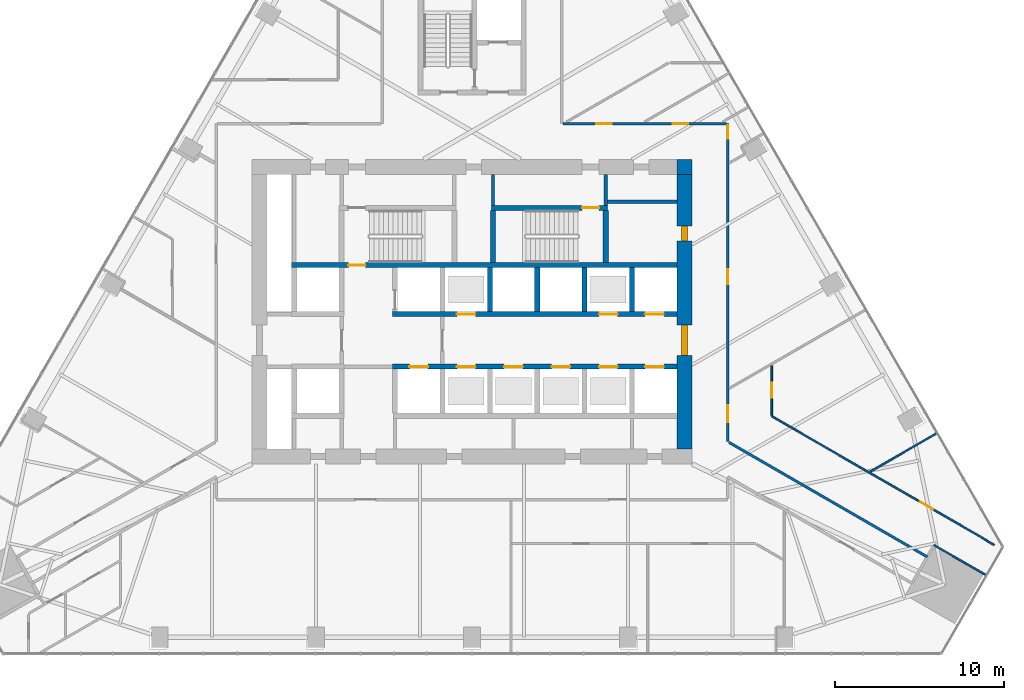
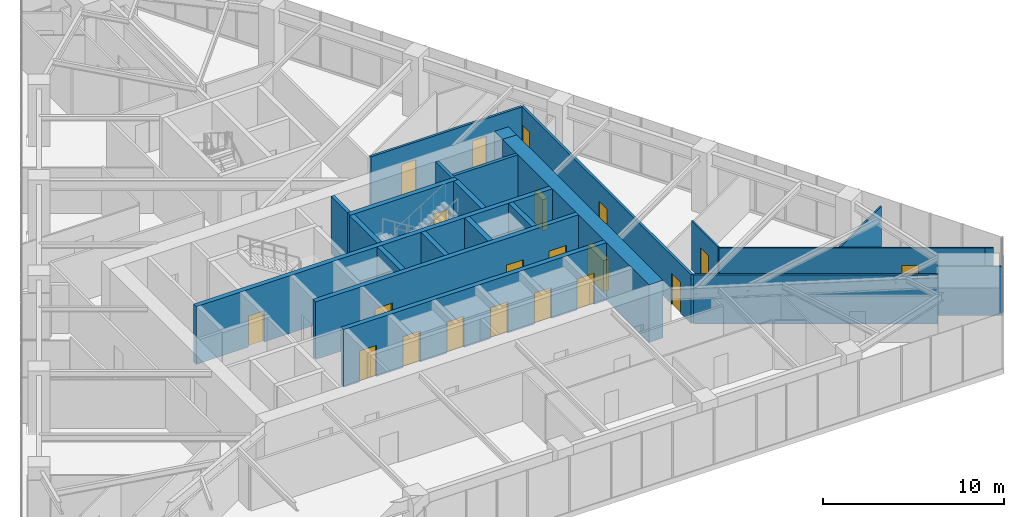
# One storey, part 15 of 19: 23 walls, 20 doors, 20 openings.
"""IFC4 building model written with IfcOpenShell, lengths in metres."""

import ifcopenshell
import ifcopenshell.guid

model = None  # the IFC model being written
_history = None  # IfcOwnerHistory: only IFC2X3 demands one
_inside = {}  # id of a spatial element -> (the spatial element, [elements in it])
_under = {}  # id of a project, library or spatial element -> (it, [spatial elements below it])
_declared = {}  # id of a project -> (the project, [libraries it declares])
_typed = {}  # id of a type object -> (the type object, [elements of that type])
_made_of = {}  # id of a material, layer set ... -> (it, [elements and type objects made of it])


def new_model(schema):
    """Start an empty IFC model of exactly this schema.

    Asked for "IFC4X3", IfcOpenShell would pick the latest addendum, in which some entities
    have other attributes; the version numbers below select the first issue.
    IFC2X3 requires an IfcOwnerHistory on every rooted entity: one is made here for all.
    """
    global model, _history
    if schema == "IFC4X3":
        model = ifcopenshell.file(schema_version=(4, 3, 0, 0))
    else:
        model = ifcopenshell.file(schema=schema)
    _inside.clear()
    _under.clear()
    _declared.clear()
    _typed.clear()
    _made_of.clear()
    _history = None
    if model.schema == "IFC2X3":
        org = make("IfcOrganization", Name="unknown")
        user = make(
            "IfcPersonAndOrganization",
            ThePerson=make("IfcPerson", FamilyName="unknown"),
            TheOrganization=org,
        )
        app = make(
            "IfcApplication",
            ApplicationDeveloper=org,
            Version="unknown",
            ApplicationFullName="unknown",
            ApplicationIdentifier="unknown",
        )
        _history = make(
            "IfcOwnerHistory",
            OwningUser=user,
            OwningApplication=app,
            ChangeAction="ADDED",
            CreationDate=0,
        )
    return model


def make(cls, **values):
    """One entity of the class cls with the attributes given. An attribute that is None is left unset."""
    return model.create_entity(
        cls, **{name: value for name, value in values.items() if value is not None}
    )


def rooted(cls, **values):
    """An entity with a GlobalId (a new one), such as an element, a storey or a relation."""
    return make(cls, GlobalId=ifcopenshell.guid.new(), OwnerHistory=_history, **values)


def si_unit(unit_type, name, prefix=None):
    """IfcSIUnit, for example si_unit("LENGTHUNIT", "METRE", prefix="MILLI")."""
    return make("IfcSIUnit", UnitType=unit_type, Prefix=prefix, Name=name)


def assignment(units):
    """IfcUnitAssignment: the units of a project."""
    return None if units is None else make("IfcUnitAssignment", Units=units)


def point(xyz):
    """IfcCartesianPoint."""
    return None if xyz is None else make("IfcCartesianPoint", Coordinates=xyz)


def direction(xyz):
    """IfcDirection."""
    return None if xyz is None else make("IfcDirection", DirectionRatios=xyz)


def frame(location, z_axis=None, x_axis=None):
    """IfcAxis2Placement3D, a coordinate frame: its origin and axes. An axis left out is left unset."""
    return make(
        "IfcAxis2Placement3D",
        Location=point(location),
        Axis=direction(z_axis),
        RefDirection=direction(x_axis),
    )


def frame_2d(location, x_axis=None):
    """IfcAxis2Placement2D, a coordinate frame in the plane: its origin and x axis."""
    return make(
        "IfcAxis2Placement2D", Location=point(location), RefDirection=direction(x_axis)
    )


def origin():
    """The frame at (0, 0, 0) with its axes left unset."""
    return frame((0.0, 0.0, 0.0))


def place(relative_to, where):
    """IfcLocalPlacement: puts the frame where relative to a parent placement (None: the world)."""
    return make(
        "IfcLocalPlacement", PlacementRelTo=relative_to, RelativePlacement=where
    )


def context(
    kind, dimensions, precision=None, world=None, true_north=None, identifier=None
):
    """IfcGeometricRepresentationContext, for example the 3D "Model" context."""
    return make(
        "IfcGeometricRepresentationContext",
        ContextIdentifier=identifier,
        ContextType=kind,
        CoordinateSpaceDimension=dimensions,
        Precision=precision,
        WorldCoordinateSystem=world,
        TrueNorth=true_north,
    )


def subcontext(parent, identifier, kind, view, scale=None):
    """IfcGeometricRepresentationSubContext, for example "Body" below "Model"."""
    return make(
        "IfcGeometricRepresentationSubContext",
        ContextIdentifier=identifier,
        ContextType=kind,
        ParentContext=parent,
        TargetScale=scale,
        TargetView=view,
    )


def project(units=None, contexts=None):
    """IfcProject with its units and contexts."""
    return rooted(
        "IfcProject",
        Name="project",
        RepresentationContexts=contexts,
        UnitsInContext=assignment(units),
    )


def spatial(cls, under=None, at=None, **own):
    """A site, building, storey or space (cls), placed at a placement, below another one or the project."""
    s = rooted(cls, ObjectPlacement=at, **own)
    if under is not None:
        _under.setdefault(under.id(), (under, []))[1].append(s)
    return s


def profile(cls, at=None, kind="AREA", **sizes):
    """A parametric profile (cls). Its sizes go by their IFC names, for example OverallWidth=200.0."""
    return make(cls, ProfileType=kind, Position=at, **sizes)


def rectangle(**sizes):
    """IfcRectangleProfileDef."""
    return profile("IfcRectangleProfileDef", **sizes)


def extrude(swept, where, along, depth):
    """IfcExtrudedAreaSolid: the profile swept, set in the frame where, extruded along a direction by depth."""
    return make(
        "IfcExtrudedAreaSolid",
        SweptArea=swept,
        Position=where,
        ExtrudedDirection=direction(along),
        Depth=depth,
    )


def shape(context_of_items, identifier, shape_type, items):
    """IfcShapeRepresentation: the items that make up one representation, for example the "Body"."""
    return make(
        "IfcShapeRepresentation",
        ContextOfItems=context_of_items,
        RepresentationIdentifier=identifier,
        RepresentationType=shape_type,
        Items=items,
    )


def material(Name=None, Category=None):
    """IfcMaterial."""
    return make("IfcMaterial", Name=Name, Category=Category)


def layer(
    of_material, thickness, ventilated=None, Name=None, Category=None, Priority=None
):
    """IfcMaterialLayer: one layer of a wall or slab, of a material (None: an air gap)."""
    return make(
        "IfcMaterialLayer",
        Material=of_material,
        LayerThickness=thickness,
        IsVentilated=ventilated,
        Name=Name,
        Category=Category,
        Priority=Priority,
    )


def layer_set(layers, Name=None):
    """IfcMaterialLayerSet."""
    return make("IfcMaterialLayerSet", MaterialLayers=layers, LayerSetName=Name)


def made_of(thing, what):
    """Note that an element or type object is made of a material, layer set ...; save() writes the relation."""
    if what is not None:
        _made_of.setdefault(what.id(), (what, []))[1].append(thing)
    return thing


def type_object(cls, material=None, **own):
    """A type object (cls), such as IfcWallType, which elements share."""
    return made_of(rooted(cls, **own), material)


def element(
    cls,
    number,
    at=None,
    inside=None,
    cuts=None,
    type_object=None,
    material=None,
    context=None,
    identifier="Body",
    shape_type=None,
    held_by="IfcProductDefinitionShape",
    body=None,
    shapes=None,
    **own,
):
    """One element of the class cls, such as IfcWall. Its Tag is "e" and its number.

    at: its placement. inside: the storey or other place that contains it. cuts: it is an
    opening in that element (IfcRelVoidsElement). A single representation is given by context,
    identifier, shape_type and body (its items); several are given by shapes. held_by: the class
    of the entity that holds the representations. save() writes the other relations.
    """
    e = rooted(cls, Tag="e%d" % number, ObjectPlacement=at, **own)
    if body is not None:
        shapes = [shape(context, identifier, shape_type, body)]
    if shapes is not None:
        e.Representation = make(held_by, Representations=shapes)
    if inside is not None:
        _inside.setdefault(inside.id(), (inside, []))[1].append(e)
    if cuts is not None:
        rooted(
            "IfcRelVoidsElement", RelatingBuildingElement=cuts, RelatedOpeningElement=e
        )
    if type_object is not None:
        _typed.setdefault(type_object.id(), (type_object, []))[1].append(e)
    return made_of(e, material)


def fill(opening, filler):
    """IfcRelFillsElement: the door or window that sits in an opening."""
    return rooted(
        "IfcRelFillsElement",
        RelatingOpeningElement=opening,
        RelatedBuildingElement=filler,
    )


def aggregate(whole, parts):
    """IfcRelAggregates: a whole, such as a stair, and the parts it consists of."""
    return rooted("IfcRelAggregates", RelatingObject=whole, RelatedObjects=parts)


def save(model, path):
    """Write the relations noted so far, then the file.

    IfcRelAggregates (storeys below a building ...), IfcRelContainedInSpatialStructure (elements
    in a storey), IfcRelDefinesByType, IfcRelAssociatesMaterial and IfcRelDeclares: one each for
    every whole, place, type object, material and project.
    """
    for whole, parts in _under.values():
        aggregate(whole, parts)
    for where, things in _inside.values():
        rooted(
            "IfcRelContainedInSpatialStructure",
            RelatedElements=things,
            RelatingStructure=where,
        )
    for kind, things in _typed.values():
        rooted("IfcRelDefinesByType", RelatedObjects=things, RelatingType=kind)
    for what, things in _made_of.values():
        rooted("IfcRelAssociatesMaterial", RelatedObjects=things, RelatingMaterial=what)
    for by, libraries in _declared.values():
        rooted("IfcRelDeclares", RelatingContext=by, RelatedDefinitions=libraries)
    model.write(path)


model = new_model("IFC4")

# Units and contexts
model_context = context("Model", 3, precision=1e-05, world=origin(), true_north=direction((0.0, 1.0)))
body_context = subcontext(model_context, "Body", "Model", "MODEL_VIEW")
ifc_project = project(units=[si_unit("LENGTHUNIT", "METRE"), si_unit("AREAUNIT", "SQUARE_METRE"), si_unit("VOLUMEUNIT", "CUBIC_METRE"), si_unit("PLANEANGLEUNIT", "RADIAN"), si_unit("MASSUNIT", "GRAM", prefix="KILO")], contexts=[model_context])

# Site, building, storey
site_placement = place(None, origin())
site = spatial("IfcSite", under=ifc_project, at=site_placement, CompositionType="ELEMENT")
building_placement = place(site_placement, origin())
building = spatial("IfcBuilding", under=site, at=building_placement, Name="Firuza Gate Tower and Library", CompositionType="ELEMENT")
storey_placement = place(building_placement, frame((0.0, 0.0, 136.60009765625)))
storey = spatial("IfcBuildingStorey", under=building, at=storey_placement, Name="L31", CompositionType="ELEMENT", Elevation=136.60009765625)

# Walls
ifc_material_1 = material(Name="Plasterboard on steel studs", Category="steel")
ifc_layer_1 = layer(ifc_material_1, 0.199951171875)
ifc_layer_set_1 = layer_set([ifc_layer_1], Name="Core partition 200 EI 120")
wall_type_1 = type_object("IfcWallType", Name="Core partition 200 EI 120", PredefinedType="PARTITIONING", material=ifc_layer_set_1)
wall_1_placement = place(storey_placement, frame((83.0, 81.4951171875, 0.0), z_axis=(0.0, 0.0, 1.0), x_axis=(1.0, 0.0, 0.0)))
element("IfcWall", 1, at=wall_1_placement, inside=storey, type_object=wall_type_1, Name="Core partition L31 4", PredefinedType="PARTITIONING", context=body_context, shape_type="SweptSolid", body=[
    extrude(rectangle(XDim=4.10009765625, YDim=0.199951171875, at=frame_2d((2.050048828125, 0.0))), origin(), (0.0, 0.0, 1.0), 3.89990234375),
])
wall_2_placement = place(storey_placement, frame((82.89990234375, 81.280029296875, 0.0), z_axis=(0.0, 0.0, 1.0), x_axis=(0.0, 1.0, 0.0)))
element("IfcWall", 2, at=wall_2_placement, inside=storey, type_object=wall_type_1, Name="Core partition L31 15", PredefinedType="PARTITIONING", context=body_context, shape_type="SweptSolid", body=[
    extrude(rectangle(XDim=1.820068359375, YDim=0.199951171875, at=frame_2d((0.91015625, 0.0))), origin(), (0.0, 0.0, 1.0), 3.89990234375),
])
ifc_material_2 = material(Name="Plasterboard on steel studs", Category="steel")
ifc_layer_2 = layer(ifc_material_2, 0.199951171875)
ifc_layer_set_2 = layer_set([ifc_layer_2], Name="Core partition 200 EI 60")
wall_type_2 = type_object("IfcWallType", Name="Core partition 200 EI 60", PredefinedType="PARTITIONING", material=ifc_layer_set_2)
wall_3_placement = place(storey_placement, frame((76.239990234375, 81.280029296875, 0.0), z_axis=(0.0, 0.0, 1.0), x_axis=(0.0, 1.0, 0.0)))
element("IfcWall", 3, at=wall_3_placement, inside=storey, type_object=wall_type_2, Name="Core partition L31 13", PredefinedType="PARTITIONING", context=body_context, shape_type="SweptSolid", body=[
    extrude(rectangle(XDim=1.820068359375, YDim=0.199951171875, at=frame_2d((0.91015625, 0.0))), origin(), (0.0, 0.0, 1.0), 3.89990234375),
])

# Wall, openings, doors
ifc_material_3 = material(Name="Concrete C80/95", Category="concrete")
ifc_layer_3 = layer(ifc_material_3, 0.300048828125)
ifc_layer_set_3 = layer_set([ifc_layer_3], Name="Core wall 300 C80/95")
wall_type_3 = type_object("IfcWallType", Name="Core wall 300 C80/95", PredefinedType="SHEAR", material=ifc_layer_set_3)
wall_4_placement = place(storey_placement, frame((70.300048828125, 71.75, 0.0), z_axis=(0.0, 0.0, 1.0), x_axis=(1.0, 0.0, 0.0)))
wall_4 = element("IfcWall", 4, at=wall_4_placement, inside=storey, type_object=wall_type_3, Name="Core wall L31 8", PredefinedType="SHEAR", context=body_context, shape_type="SweptSolid", body=[
    extrude(rectangle(XDim=16.800048828125, YDim=0.300048828125, at=frame_2d((8.39990234375, 0.0))), origin(), (0.0, 0.0, 1.0), 3.89990234375),
])
opening_1_placement = place(wall_4_placement, frame((1.0, 0.0, 0.0)))
opening_1 = element("IfcOpeningElement", 5, at=opening_1_placement, cuts=wall_4, Name="Opening LD-FF1-L31", PredefinedType="OPENING", context=body_context, shape_type="SweptSolid", body=[
    extrude(rectangle(XDim=1.10009765625, YDim=2.10009765625, at=frame_2d((0.550048828125, 1.050048828125))), frame((0.0, 0.16015625, 0.0), z_axis=(0.0, -1.0, 0.0), x_axis=(1.0, 0.0, 0.0)), (0.0, 0.0, 1.0), 0.320068359375),
])
opening_2_placement = place(wall_4_placement, frame((3.800048828125, 0.0, 0.0)))
opening_2 = element("IfcOpeningElement", 6, at=opening_2_placement, cuts=wall_4, Name="Opening LD-LR1-L31", PredefinedType="OPENING", context=body_context, shape_type="SweptSolid", body=[
    extrude(rectangle(XDim=1.10009765625, YDim=2.10009765625, at=frame_2d((0.550048828125, 1.050048828125))), frame((0.0, 0.16015625, 0.0), z_axis=(0.0, -1.0, 0.0), x_axis=(1.0, 0.0, 0.0)), (0.0, 0.0, 1.0), 0.320068359375),
])
opening_3_placement = place(wall_4_placement, frame((6.60009765625, 0.0, 0.0)))
opening_3 = element("IfcOpeningElement", 7, at=opening_3_placement, cuts=wall_4, Name="Opening LD-LR2-L31", PredefinedType="OPENING", context=body_context, shape_type="SweptSolid", body=[
    extrude(rectangle(XDim=1.10009765625, YDim=2.10009765625, at=frame_2d((0.550048828125, 1.050048828125))), frame((0.0, 0.16015625, 0.0), z_axis=(0.0, -1.0, 0.0), x_axis=(1.0, 0.0, 0.0)), (0.0, 0.0, 1.0), 0.320068359375),
])
opening_4_placement = place(wall_4_placement, frame((9.39990234375, 0.0, 0.0)))
opening_4 = element("IfcOpeningElement", 8, at=opening_4_placement, cuts=wall_4, Name="Opening LD-LR3-L31", PredefinedType="OPENING", context=body_context, shape_type="SweptSolid", body=[
    extrude(rectangle(XDim=1.10009765625, YDim=2.10009765625, at=frame_2d((0.550048828125, 1.050048828125))), frame((0.0, 0.16015625, 0.0), z_axis=(0.0, -1.0, 0.0), x_axis=(1.0, 0.0, 0.0)), (0.0, 0.0, 1.0), 0.320068359375),
])
opening_5_placement = place(wall_4_placement, frame((12.199951171875, 0.0, 0.0)))
opening_5 = element("IfcOpeningElement", 9, at=opening_5_placement, cuts=wall_4, Name="Opening LD-LR5-L31", PredefinedType="OPENING", context=body_context, shape_type="SweptSolid", body=[
    extrude(rectangle(XDim=1.10009765625, YDim=2.10009765625, at=frame_2d((0.550048828125, 1.050048828125))), frame((0.0, 0.16015625, 0.0), z_axis=(0.0, -1.0, 0.0), x_axis=(1.0, 0.0, 0.0)), (0.0, 0.0, 1.0), 0.320068359375),
])
opening_6_placement = place(wall_4_placement, frame((14.925048828125, 0.0, 0.0)))
opening_6 = element("IfcOpeningElement", 10, at=opening_6_placement, cuts=wall_4, Name="Opening LD-LR7-L31", PredefinedType="OPENING", context=body_context, shape_type="SweptSolid", body=[
    extrude(rectangle(XDim=1.10009765625, YDim=2.10009765625, at=frame_2d((0.550048828125, 1.050048828125))), frame((0.0, 0.16015625, 0.0), z_axis=(0.0, -1.0, 0.0), x_axis=(1.0, 0.0, 0.0)), (0.0, 0.0, 1.0), 0.320068359375),
])
ifc_material_4 = material(Name="Stainless steel", Category="steel")
door_type_1 = type_object("IfcDoorType", Name="Lift landing door 1100x2100", OperationType="DOUBLE_DOOR_SLIDING", PredefinedType="DOOR", material=ifc_material_4)
door_1_placement = place(opening_1_placement, origin())
door_1 = element("IfcDoor", 11, at=door_1_placement, inside=storey, type_object=door_type_1, Name="Landing door FF1 L31", OperationType="DOUBLE_DOOR_SLIDING", OverallHeight=2.10009765625, OverallWidth=1.10009765625, PredefinedType="DOOR", context=body_context, shape_type="SweptSolid", body=[
    extrude(rectangle(XDim=1.10009765625, YDim=2.10009765625, at=frame_2d((0.550048828125, 1.050048828125))), frame((0.0, 0.02490234375, 0.0), z_axis=(0.0, -1.0, 0.0), x_axis=(1.0, 0.0, 0.0)), (0.0, 0.0, 1.0), 0.050048828125),
])
fill(opening_1, door_1)
door_2_placement = place(opening_2_placement, origin())
door_2 = element("IfcDoor", 12, at=door_2_placement, inside=storey, type_object=door_type_1, Name="Landing door LR1 L31", OperationType="DOUBLE_DOOR_SLIDING", OverallHeight=2.10009765625, OverallWidth=1.10009765625, PredefinedType="DOOR", context=body_context, shape_type="SweptSolid", body=[
    extrude(rectangle(XDim=1.10009765625, YDim=2.10009765625, at=frame_2d((0.550048828125, 1.050048828125))), frame((0.0, 0.02490234375, 0.0), z_axis=(0.0, -1.0, 0.0), x_axis=(1.0, 0.0, 0.0)), (0.0, 0.0, 1.0), 0.050048828125),
])
fill(opening_2, door_2)
door_3_placement = place(opening_3_placement, origin())
door_3 = element("IfcDoor", 13, at=door_3_placement, inside=storey, type_object=door_type_1, Name="Landing door LR2 L31", OperationType="DOUBLE_DOOR_SLIDING", OverallHeight=2.10009765625, OverallWidth=1.10009765625, PredefinedType="DOOR", context=body_context, shape_type="SweptSolid", body=[
    extrude(rectangle(XDim=1.10009765625, YDim=2.10009765625, at=frame_2d((0.550048828125, 1.050048828125))), frame((0.0, 0.02490234375, 0.0), z_axis=(0.0, -1.0, 0.0), x_axis=(1.0, 0.0, 0.0)), (0.0, 0.0, 1.0), 0.050048828125),
])
fill(opening_3, door_3)
door_4_placement = place(opening_4_placement, origin())
door_4 = element("IfcDoor", 14, at=door_4_placement, inside=storey, type_object=door_type_1, Name="Landing door LR3 L31", OperationType="DOUBLE_DOOR_SLIDING", OverallHeight=2.10009765625, OverallWidth=1.10009765625, PredefinedType="DOOR", context=body_context, shape_type="SweptSolid", body=[
    extrude(rectangle(XDim=1.10009765625, YDim=2.10009765625, at=frame_2d((0.550048828125, 1.050048828125))), frame((0.0, 0.02490234375, 0.0), z_axis=(0.0, -1.0, 0.0), x_axis=(1.0, 0.0, 0.0)), (0.0, 0.0, 1.0), 0.050048828125),
])
fill(opening_4, door_4)
door_5_placement = place(opening_5_placement, origin())
door_5 = element("IfcDoor", 15, at=door_5_placement, inside=storey, type_object=door_type_1, Name="Landing door LR5 L31", OperationType="DOUBLE_DOOR_SLIDING", OverallHeight=2.10009765625, OverallWidth=1.10009765625, PredefinedType="DOOR", context=body_context, shape_type="SweptSolid", body=[
    extrude(rectangle(XDim=1.10009765625, YDim=2.10009765625, at=frame_2d((0.550048828125, 1.050048828125))), frame((0.0, 0.02490234375, 0.0), z_axis=(0.0, -1.0, 0.0), x_axis=(1.0, 0.0, 0.0)), (0.0, 0.0, 1.0), 0.050048828125),
])
fill(opening_5, door_5)
door_6_placement = place(opening_6_placement, origin())
door_6 = element("IfcDoor", 16, at=door_6_placement, inside=storey, type_object=door_type_1, Name="Landing door LR7 L31", OperationType="DOUBLE_DOOR_SLIDING", OverallHeight=2.10009765625, OverallWidth=1.10009765625, PredefinedType="DOOR", context=body_context, shape_type="SweptSolid", body=[
    extrude(rectangle(XDim=1.10009765625, YDim=2.10009765625, at=frame_2d((0.550048828125, 1.050048828125))), frame((0.0, 0.02490234375, 0.0), z_axis=(0.0, -1.0, 0.0), x_axis=(1.0, 0.0, 0.0)), (0.0, 0.0, 1.0), 0.050048828125),
])
fill(opening_6, door_6)

wall_5_placement = place(storey_placement, frame((70.300048828125, 74.85009765625, 0.0), z_axis=(0.0, 0.0, 1.0), x_axis=(1.0, 0.0, 0.0)))
wall_5 = element("IfcWall", 17, at=wall_5_placement, inside=storey, type_object=wall_type_3, Name="Core wall L31 10", PredefinedType="SHEAR", context=body_context, shape_type="SweptSolid", body=[
    extrude(rectangle(XDim=16.800048828125, YDim=0.300048828125, at=frame_2d((8.39990234375, 0.0))), origin(), (0.0, 0.0, 1.0), 3.89990234375),
])
opening_7_placement = place(wall_5_placement, frame((3.800048828125, 0.0, 0.0)))
opening_7 = element("IfcOpeningElement", 18, at=opening_7_placement, cuts=wall_5, Name="Opening LD-LR4-L31", PredefinedType="OPENING", context=body_context, shape_type="SweptSolid", body=[
    extrude(rectangle(XDim=1.10009765625, YDim=2.10009765625, at=frame_2d((0.550048828125, 1.050048828125))), frame((0.0, 0.16015625, 0.0), z_axis=(0.0, -1.0, 0.0), x_axis=(1.0, 0.0, 0.0)), (0.0, 0.0, 1.0), 0.320068359375),
])
opening_8_placement = place(wall_5_placement, frame((12.199951171875, 0.0, 0.0)))
opening_8 = element("IfcOpeningElement", 19, at=opening_8_placement, cuts=wall_5, Name="Opening LD-LR6-L31", PredefinedType="OPENING", context=body_context, shape_type="SweptSolid", body=[
    extrude(rectangle(XDim=1.10009765625, YDim=2.10009765625, at=frame_2d((0.550048828125, 1.050048828125))), frame((0.0, 0.16015625, 0.0), z_axis=(0.0, -1.0, 0.0), x_axis=(1.0, 0.0, 0.0)), (0.0, 0.0, 1.0), 0.320068359375),
])
opening_9_placement = place(wall_5_placement, frame((14.925048828125, 0.0, 0.0)))
opening_9 = element("IfcOpeningElement", 20, at=opening_9_placement, cuts=wall_5, Name="Opening LD-LR8-L31", PredefinedType="OPENING", context=body_context, shape_type="SweptSolid", body=[
    extrude(rectangle(XDim=1.10009765625, YDim=2.10009765625, at=frame_2d((0.550048828125, 1.050048828125))), frame((0.0, 0.16015625, 0.0), z_axis=(0.0, -1.0, 0.0), x_axis=(1.0, 0.0, 0.0)), (0.0, 0.0, 1.0), 0.320068359375),
])
door_7_placement = place(opening_7_placement, origin())
door_7 = element("IfcDoor", 21, at=door_7_placement, inside=storey, type_object=door_type_1, Name="Landing door LR4 L31", OperationType="DOUBLE_DOOR_SLIDING", OverallHeight=2.10009765625, OverallWidth=1.10009765625, PredefinedType="DOOR", context=body_context, shape_type="SweptSolid", body=[
    extrude(rectangle(XDim=1.10009765625, YDim=2.10009765625, at=frame_2d((0.550048828125, 1.050048828125))), frame((0.0, 0.02490234375, 0.0), z_axis=(0.0, -1.0, 0.0), x_axis=(1.0, 0.0, 0.0)), (0.0, 0.0, 1.0), 0.050048828125),
])
fill(opening_7, door_7)
door_8_placement = place(opening_8_placement, origin())
door_8 = element("IfcDoor", 22, at=door_8_placement, inside=storey, type_object=door_type_1, Name="Landing door LR6 L31", OperationType="DOUBLE_DOOR_SLIDING", OverallHeight=2.10009765625, OverallWidth=1.10009765625, PredefinedType="DOOR", context=body_context, shape_type="SweptSolid", body=[
    extrude(rectangle(XDim=1.10009765625, YDim=2.10009765625, at=frame_2d((0.550048828125, 1.050048828125))), frame((0.0, 0.02490234375, 0.0), z_axis=(0.0, -1.0, 0.0), x_axis=(1.0, 0.0, 0.0)), (0.0, 0.0, 1.0), 0.050048828125),
])
fill(opening_8, door_8)
door_9_placement = place(opening_9_placement, origin())
door_9 = element("IfcDoor", 23, at=door_9_placement, inside=storey, type_object=door_type_1, Name="Landing door LR8 L31", OperationType="DOUBLE_DOOR_SLIDING", OverallHeight=2.10009765625, OverallWidth=1.10009765625, PredefinedType="DOOR", context=body_context, shape_type="SweptSolid", body=[
    extrude(rectangle(XDim=1.10009765625, YDim=2.10009765625, at=frame_2d((0.550048828125, 1.050048828125))), frame((0.0, 0.02490234375, 0.0), z_axis=(0.0, -1.0, 0.0), x_axis=(1.0, 0.0, 0.0)), (0.0, 0.0, 1.0), 0.050048828125),
])
fill(opening_9, door_9)

# Walls
for number, where, z_axis, x_axis, name in (
    (24, (76.050048828125, 75.0, 0.0), (0.0, 0.0, 1.0), (0.0, 1.0, 0.0), "Core wall L31 20"),
    (25, (78.85009765625, 75.0, 0.0), (0.0, 0.0, 1.0), (0.0, 1.0, 0.0), "Core wall L31 22"),
    (26, (81.64990234375, 75.0, 0.0), (0.0, 0.0, 1.0), (0.0, 1.0, 0.0), "Core wall L31 24"),
    (27, (84.449951171875, 75.0, 0.0), (0.0, 0.0, 1.0), (0.0, 1.0, 0.0), "Core wall L31 26"),
):
    element("IfcWall", number, at=place(storey_placement, frame(where, z_axis=z_axis, x_axis=x_axis)), inside=storey, type_object=wall_type_3, Name=name, PredefinedType="SHEAR", context=body_context, shape_type="SweptSolid", body=[
        extrude(rectangle(XDim=2.60009765625, YDim=0.300048828125, at=frame_2d((1.300048828125, 0.0))), origin(), (0.0, 0.0, 1.0), 3.89990234375),
    ])

# Wall, opening, door
wall_6_placement = place(storey_placement, frame((64.35009765625, 77.75, 0.0), z_axis=(0.0, 0.0, 1.0), x_axis=(1.0, 0.0, 0.0)))
wall_6 = element("IfcWall", 28, at=wall_6_placement, inside=storey, type_object=wall_type_3, Name="Core wall L31 27", PredefinedType="SHEAR", context=body_context, shape_type="SweptSolid", body=[
    extrude(rectangle(XDim=22.75, YDim=0.300048828125, at=frame_2d((11.375, 0.0))), origin(), (0.0, 0.0, 1.0), 3.89990234375),
])
opening_10_placement = place(wall_6_placement, frame((3.344970703125, 0.0, 0.0)))
opening_10 = element("IfcOpeningElement", 29, at=opening_10_placement, cuts=wall_6, Name="Opening L31-K12", PredefinedType="OPENING", context=body_context, shape_type="SweptSolid", body=[
    extrude(rectangle(XDim=1.0, YDim=2.10009765625, at=frame_2d((0.5, 1.050048828125))), frame((0.0, 0.16015625, 0.0), z_axis=(0.0, -1.0, 0.0), x_axis=(1.0, 0.0, 0.0)), (0.0, 0.0, 1.0), 0.320068359375),
])
ifc_material_5 = material(Name="Steel", Category="steel")
door_type_2 = type_object("IfcDoorType", Name="Fire door 1000x2100 FD90", OperationType="NOTDEFINED", PredefinedType="DOOR", material=ifc_material_5)
door_10_placement = place(opening_10_placement, origin())
door_10 = element("IfcDoor", 30, at=door_10_placement, inside=storey, type_object=door_type_2, Name="Door L31-K12", OperationType="SINGLE_SWING_LEFT", OverallHeight=2.10009765625, OverallWidth=1.0, PredefinedType="DOOR", context=body_context, shape_type="SweptSolid", body=[
    extrude(rectangle(XDim=1.0, YDim=2.10009765625, at=frame_2d((0.5, 1.050048828125))), frame((0.0, 0.02490234375, 0.0), z_axis=(0.0, -1.0, 0.0), x_axis=(1.0, 0.0, 0.0)), (0.0, 0.0, 1.0), 0.050048828125),
])
fill(opening_10, door_10)

wall_7_placement = place(storey_placement, frame((76.139892578125, 81.1298828125, 0.0), z_axis=(0.0, 0.0, 1.0), x_axis=(1.0, 0.0, 0.0)))
wall_7 = element("IfcWall", 31, at=wall_7_placement, inside=storey, type_object=wall_type_3, Name="Core wall L31 29", PredefinedType="SHEAR", context=body_context, shape_type="SweptSolid", body=[
    extrude(rectangle(XDim=6.860107421875, YDim=0.300048828125, at=frame_2d((3.43017578125, 0.0))), origin(), (0.0, 0.0, 1.0), 3.89990234375),
])
opening_11_placement = place(wall_7_placement, frame((5.364990234375, 0.0, 0.0)))
opening_11 = element("IfcOpeningElement", 32, at=opening_11_placement, cuts=wall_7, Name="Opening L31-K15", PredefinedType="OPENING", context=body_context, shape_type="SweptSolid", body=[
    extrude(rectangle(XDim=1.0, YDim=2.10009765625, at=frame_2d((0.5, 1.050048828125))), frame((0.0, 0.16015625, 0.0), z_axis=(0.0, -1.0, 0.0), x_axis=(1.0, 0.0, 0.0)), (0.0, 0.0, 1.0), 0.320068359375),
])
door_11_placement = place(opening_11_placement, origin())
door_11 = element("IfcDoor", 33, at=door_11_placement, inside=storey, type_object=door_type_2, Name="Door L31-K15", OperationType="SINGLE_SWING_RIGHT", OverallHeight=2.10009765625, OverallWidth=1.0, PredefinedType="DOOR", context=body_context, shape_type="SweptSolid", body=[
    extrude(rectangle(XDim=1.0, YDim=2.10009765625, at=frame_2d((0.5, 1.050048828125))), frame((0.0, 0.02490234375, 0.0), z_axis=(0.0, -1.0, 0.0), x_axis=(1.0, 0.0, 0.0)), (0.0, 0.0, 1.0), 0.050048828125),
])
fill(opening_11, door_11)

# Walls
for number, where, z_axis, x_axis, name in (
    (34, (76.239990234375, 77.89990234375, 0.0), (0.0, 0.0, 1.0), (0.0, 1.0, 0.0), "Core wall L31 32"),
    (35, (82.89990234375, 77.89990234375, 0.0), (0.0, 0.0, 1.0), (0.0, 1.0, 0.0), "Core wall L31 33"),
):
    element("IfcWall", number, at=place(storey_placement, frame(where, z_axis=z_axis, x_axis=x_axis)), inside=storey, type_object=wall_type_3, Name=name, PredefinedType="SHEAR", context=body_context, shape_type="SweptSolid", body=[
        extrude(rectangle(XDim=3.080078125, YDim=0.300048828125, at=frame_2d((1.5400390625, 0.0))), origin(), (0.0, 0.0, 1.0), 3.89990234375),
    ])

# Wall, openings, doors
ifc_material_6 = material(Name="Concrete C80/95", Category="concrete")
ifc_layer_4 = layer(ifc_material_6, 0.89990234375)
ifc_layer_set_4 = layer_set([ifc_layer_4], Name="Core wall 900 C80/95")
wall_type_4 = type_object("IfcWallType", Name="Core wall 900 C80/95", PredefinedType="SHEAR", material=ifc_layer_set_4)
wall_8_placement = place(storey_placement, frame((87.550048828125, 66.89990234375, 0.0), z_axis=(0.0, 0.0, 1.0), x_axis=(0.0, 1.0, 0.0)))
wall_8 = element("IfcWall", 36, at=wall_8_placement, inside=storey, type_object=wall_type_4, Name="Core wall L31 4", PredefinedType="SHEAR", context=body_context, shape_type="SweptSolid", body=[
    extrude(rectangle(XDim=16.2001953125, YDim=0.89990234375, at=frame_2d((8.10009765625, 0.0))), origin(), (0.0, 0.0, 1.0), 3.89990234375),
])
opening_12_placement = place(wall_8_placement, frame((5.5, 0.0, 0.0)))
opening_12 = element("IfcOpeningElement", 37, at=opening_12_placement, cuts=wall_8, Name="Opening L31-K23", PredefinedType="OPENING", context=body_context, shape_type="SweptSolid", body=[
    extrude(rectangle(XDim=1.800048828125, YDim=2.10009765625, at=frame_2d((0.89990234375, 1.050048828125))), frame((0.0, 0.4599609375, 0.0), z_axis=(0.0, -1.0, 0.0), x_axis=(1.0, 0.0, 0.0)), (0.0, 0.0, 1.0), 0.919921875),
])
opening_13_placement = place(wall_8_placement, frame((12.2724609375, 0.0, 0.0)))
opening_13 = element("IfcOpeningElement", 38, at=opening_13_placement, cuts=wall_8, Name="Opening L31-K31", PredefinedType="OPENING", context=body_context, shape_type="SweptSolid", body=[
    extrude(rectangle(XDim=0.89990234375, YDim=2.10009765625, at=frame_2d((0.449951171875, 1.050048828125))), frame((0.0, 0.4599609375, 0.0), z_axis=(0.0, -1.0, 0.0), x_axis=(1.0, 0.0, 0.0)), (0.0, 0.0, 1.0), 0.919921875),
])
ifc_material_7 = material(Name="Steel", Category="steel")
door_type_3 = type_object("IfcDoorType", Name="Fire door 1800x2100 FD30S", OperationType="NOTDEFINED", PredefinedType="DOOR", material=ifc_material_7)
door_12_placement = place(opening_12_placement, origin())
door_12 = element("IfcDoor", 39, at=door_12_placement, inside=storey, type_object=door_type_3, Name="Door L31-K23", OperationType="SINGLE_SWING_RIGHT", OverallHeight=2.10009765625, OverallWidth=1.800048828125, PredefinedType="DOOR", context=body_context, shape_type="SweptSolid", body=[
    extrude(rectangle(XDim=1.800048828125, YDim=2.10009765625, at=frame_2d((0.89990234375, 1.050048828125))), frame((0.0, 0.169921875, 0.0), z_axis=(0.0, -1.0, 0.0), x_axis=(1.0, 0.0, 0.0)), (0.0, 0.0, 1.0), 0.33984375),
])
fill(opening_12, door_12)
ifc_material_8 = material(Name="Steel", Category="steel")
door_type_4 = type_object("IfcDoorType", Name="Fire door 900x2100 FD30S", OperationType="NOTDEFINED", PredefinedType="DOOR", material=ifc_material_8)
door_13_placement = place(opening_13_placement, origin())
door_13 = element("IfcDoor", 40, at=door_13_placement, inside=storey, type_object=door_type_4, Name="Door L31-K31", OperationType="SINGLE_SWING_RIGHT", OverallHeight=2.10009765625, OverallWidth=0.89990234375, PredefinedType="DOOR", context=body_context, shape_type="SweptSolid", body=[
    extrude(rectangle(XDim=0.89990234375, YDim=2.10009765625, at=frame_2d((0.449951171875, 1.050048828125))), frame((0.0, 0.169921875, 0.0), z_axis=(0.0, -1.0, 0.0), x_axis=(1.0, 0.0, 0.0)), (0.0, 0.0, 1.0), 0.33984375),
])
fill(opening_13, door_13)

# Wall
wall_9_placement = place(storey_placement, frame((87.10009765625, 83.550048828125, 0.0), z_axis=(0.0, 0.0, 1.0), x_axis=(1.0, 0.0, 0.0)))
element("IfcWall", 41, at=wall_9_placement, inside=storey, type_object=wall_type_4, Name="Core wall L31 40", PredefinedType="SHEAR", context=body_context, shape_type="SweptSolid", body=[
    extrude(rectangle(XDim=0.89990234375, YDim=0.89990234375, at=frame_2d((0.449951171875, 0.0))), origin(), (0.0, 0.0, 1.0), 3.89990234375),
])

# Wall, openings, doors
ifc_material_9 = material(Name="Gypsum board partition")
ifc_layer_5 = layer(ifc_material_9, 0.14990234375)
ifc_layer_set_5 = layer_set([ifc_layer_5], Name="Corridor wall 150 double board on steel studs")
wall_type_5 = type_object("IfcWallType", Name="Corridor wall 150 double board on steel studs", PredefinedType="PARTITIONING", material=ifc_layer_set_5)
wall_10_placement = place(storey_placement, frame((80.375, 86.10009765625, 0.0), z_axis=(0.0, 0.0, 1.0), x_axis=(1.0, 0.0, 0.0)))
wall_10 = element("IfcWall", 42, at=wall_10_placement, inside=storey, type_object=wall_type_5, Name="f:L31:w004", PredefinedType="PARTITIONING", context=body_context, shape_type="SweptSolid", body=[
    extrude(rectangle(XDim=9.64990234375, YDim=0.14990234375, at=frame_2d((4.824951171875, 0.0))), origin(), (0.0, 0.0, 1.0), 3.2998046875),
])
opening_14_placement = place(wall_10_placement, frame((1.966796875, 0.0, 0.0)))
opening_14 = element("IfcOpeningElement", 43, at=opening_14_placement, cuts=wall_10, Name="Opening L31-06", PredefinedType="OPENING", context=body_context, shape_type="SweptSolid", body=[
    extrude(rectangle(XDim=0.89990234375, YDim=2.10009765625, at=frame_2d((0.449951171875, 1.050048828125))), frame((0.0, 0.0849609375, 0.0), z_axis=(0.0, -1.0, 0.0), x_axis=(1.0, 0.0, 0.0)), (0.0, 0.0, 1.0), 0.169921875),
])
opening_15_placement = place(wall_10_placement, frame((6.48486328125, 0.0, 0.0)))
opening_15 = element("IfcOpeningElement", 44, at=opening_15_placement, cuts=wall_10, Name="Opening L31-07", PredefinedType="OPENING", context=body_context, shape_type="SweptSolid", body=[
    extrude(rectangle(XDim=0.89990234375, YDim=2.10009765625, at=frame_2d((0.449951171875, 1.050048828125))), frame((0.0, 0.0849609375, 0.0), z_axis=(0.0, -1.0, 0.0), x_axis=(1.0, 0.0, 0.0)), (0.0, 0.0, 1.0), 0.169921875),
])
ifc_material_10 = material(Name="Steel door and timber leaf", Category="steel")
door_type_5 = type_object("IfcDoorType", Name="Fire door 900 x 2100 steel frame, timber leaf", OperationType="NOTDEFINED", PredefinedType="DOOR", material=ifc_material_10)
door_14_placement = place(opening_14_placement, origin())
door_14 = element("IfcDoor", 45, at=door_14_placement, inside=storey, type_object=door_type_5, Name="f:L31:d006", OperationType="SINGLE_SWING_RIGHT", OverallHeight=2.10009765625, OverallWidth=0.89990234375, PredefinedType="DOOR", context=body_context, shape_type="SweptSolid", body=[
    extrude(rectangle(XDim=0.89990234375, YDim=2.10009765625, at=frame_2d((0.449951171875, 1.050048828125))), frame((0.0, 0.02490234375, 0.0), z_axis=(0.0, -1.0, 0.0), x_axis=(1.0, 0.0, 0.0)), (0.0, 0.0, 1.0), 0.050048828125),
])
fill(opening_14, door_14)
door_15_placement = place(opening_15_placement, origin())
door_15 = element("IfcDoor", 46, at=door_15_placement, inside=storey, type_object=door_type_5, Name="f:L31:d007", OperationType="SINGLE_SWING_LEFT", OverallHeight=2.10009765625, OverallWidth=0.89990234375, PredefinedType="DOOR", context=body_context, shape_type="SweptSolid", body=[
    extrude(rectangle(XDim=0.89990234375, YDim=2.10009765625, at=frame_2d((0.449951171875, 1.050048828125))), frame((0.0, 0.02490234375, 0.0), z_axis=(0.0, -1.0, 0.0), x_axis=(1.0, 0.0, 0.0)), (0.0, 0.0, 1.0), 0.050048828125),
])
fill(opening_15, door_15)

wall_11_placement = place(storey_placement, frame((90.10009765625, 86.10009765625, 0.0), z_axis=(0.0, 0.0, 1.0), x_axis=(0.0, -1.0, 0.0)))
wall_11 = element("IfcWall", 47, at=wall_11_placement, inside=storey, type_object=wall_type_5, Name="f:L31:w034", PredefinedType="PARTITIONING", context=body_context, shape_type="SweptSolid", body=[
    extrude(rectangle(XDim=18.77880859375, YDim=0.14990234375, at=frame_2d((9.389404296875, 0.0))), origin(), (0.0, 0.0, 1.0), 3.2998046875),
])
opening_16_placement = place(wall_11_placement, frame((0.08251953125, 0.0, 0.0)))
opening_16 = element("IfcOpeningElement", 48, at=opening_16_placement, cuts=wall_11, Name="Opening L31-18", PredefinedType="OPENING", context=body_context, shape_type="SweptSolid", body=[
    extrude(rectangle(XDim=0.800048828125, YDim=2.10009765625, at=frame_2d((0.39990234375, 1.050048828125))), frame((0.0, 0.0849609375, 0.0), z_axis=(0.0, -1.0, 0.0), x_axis=(1.0, 0.0, 0.0)), (0.0, 0.0, 1.0), 0.169921875),
])
opening_17_placement = place(wall_11_placement, frame((8.587890625, 0.0, 0.0)))
opening_17 = element("IfcOpeningElement", 49, at=opening_17_placement, cuts=wall_11, Name="Opening L31-19", PredefinedType="OPENING", context=body_context, shape_type="SweptSolid", body=[
    extrude(rectangle(XDim=0.89990234375, YDim=2.10009765625, at=frame_2d((0.449951171875, 1.050048828125))), frame((0.0, 0.0849609375, 0.0), z_axis=(0.0, -1.0, 0.0), x_axis=(1.0, 0.0, 0.0)), (0.0, 0.0, 1.0), 0.169921875),
])
opening_18_placement = place(wall_11_placement, frame((16.634765625, 0.0, 0.0)))
opening_18 = element("IfcOpeningElement", 50, at=opening_18_placement, cuts=wall_11, Name="Opening L31-20", PredefinedType="OPENING", context=body_context, shape_type="SweptSolid", body=[
    extrude(rectangle(XDim=1.0, YDim=2.10009765625, at=frame_2d((0.5, 1.050048828125))), frame((0.0, 0.0849609375, 0.0), z_axis=(0.0, -1.0, 0.0), x_axis=(1.0, 0.0, 0.0)), (0.0, 0.0, 1.0), 0.169921875),
])
ifc_material_11 = material(Name="Timber door", Category="wood")
door_type_6 = type_object("IfcDoorType", Name="Door 800 x 2100 timber leaf", OperationType="NOTDEFINED", PredefinedType="DOOR", material=ifc_material_11)
door_16_placement = place(opening_16_placement, origin())
door_16 = element("IfcDoor", 51, at=door_16_placement, inside=storey, type_object=door_type_6, Name="f:L31:d018", OperationType="SINGLE_SWING_LEFT", OverallHeight=2.10009765625, OverallWidth=0.800048828125, PredefinedType="DOOR", context=body_context, shape_type="SweptSolid", body=[
    extrude(rectangle(XDim=0.800048828125, YDim=2.10009765625, at=frame_2d((0.39990234375, 1.050048828125))), frame((0.0, 0.02490234375, 0.0), z_axis=(0.0, -1.0, 0.0), x_axis=(1.0, 0.0, 0.0)), (0.0, 0.0, 1.0), 0.050048828125),
])
fill(opening_16, door_16)
ifc_material_12 = material(Name="Steel door and timber leaf", Category="steel")
door_type_7 = type_object("IfcDoorType", Name="Fire door 1000 x 2100 steel frame, timber leaf", OperationType="NOTDEFINED", PredefinedType="DOOR", material=ifc_material_12)
door_17_placement = place(opening_18_placement, origin())
door_17 = element("IfcDoor", 52, at=door_17_placement, inside=storey, type_object=door_type_7, Name="f:L31:d020", OperationType="SINGLE_SWING_LEFT", OverallHeight=2.10009765625, OverallWidth=1.0, PredefinedType="DOOR", context=body_context, shape_type="SweptSolid", body=[
    extrude(rectangle(XDim=1.0, YDim=2.10009765625, at=frame_2d((0.5, 1.050048828125))), frame((0.0, 0.02490234375, 0.0), z_axis=(0.0, -1.0, 0.0), x_axis=(1.0, 0.0, 0.0)), (0.0, 0.0, 1.0), 0.050048828125),
])
fill(opening_18, door_17)
door_18_placement = place(opening_17_placement, origin())
door_18 = element("IfcDoor", 53, at=door_18_placement, inside=storey, type_object=door_type_5, Name="f:L31:d019", OperationType="SINGLE_SWING_RIGHT", OverallHeight=2.10009765625, OverallWidth=0.89990234375, PredefinedType="DOOR", context=body_context, shape_type="SweptSolid", body=[
    extrude(rectangle(XDim=0.89990234375, YDim=2.10009765625, at=frame_2d((0.449951171875, 1.050048828125))), frame((0.0, 0.02490234375, 0.0), z_axis=(0.0, -1.0, 0.0), x_axis=(1.0, 0.0, 0.0)), (0.0, 0.0, 1.0), 0.050048828125),
])
fill(opening_17, door_18)

# Walls
wall_12_placement = place(storey_placement, frame((101.888427734375, 60.515380859375, 0.0), z_axis=(0.0, 0.0, 1.0), x_axis=(-0.866026273051, 0.499998494383, 0.0)))
element("IfcWall", 54, at=wall_12_placement, inside=storey, type_object=wall_type_5, Name="f:L31:w061", PredefinedType="PARTITIONING", context=body_context, shape_type="SweptSolid", body=[
    extrude(rectangle(XDim=13.525390625, YDim=0.14990234375, at=frame_2d((6.7626953125, 0.0))), origin(), (0.0, 0.0, 1.0), 3.2998046875),
])
ifc_material_13 = material(Name="Gypsum board partition")
ifc_layer_6 = layer(ifc_material_13, 0.10009765625)
ifc_layer_set_6 = layer_set([ifc_layer_6], Name="Partition 100 gypsum board on steel studs")
wall_type_6 = type_object("IfcWallType", Name="Partition 100 gypsum board on steel studs", PredefinedType="PARTITIONING", material=ifc_layer_set_6)
wall_13_placement = place(storey_placement, frame((98.52001953125, 65.550048828125, 0.0), z_axis=(0.0, 0.0, 1.0), x_axis=(0.866021092682, 0.500007466975, 0.0)))
element("IfcWall", 55, at=wall_13_placement, inside=storey, type_object=wall_type_6, Name="f:L31:w012", PredefinedType="PARTITIONING", context=body_context, shape_type="SweptSolid", body=[
    extrude(rectangle(XDim=4.5478515625, YDim=0.10009765625, at=frame_2d((2.27392578125, 0.0))), origin(), (0.0, 0.0, 1.0), 3.2998046875),
])

# Wall, opening, door
wall_14_placement = place(storey_placement, frame((92.699951171875, 71.818115234375, 0.0), z_axis=(0.0, 0.0, 1.0), x_axis=(0.0, -1.0, 0.0)))
wall_14 = element("IfcWall", 56, at=wall_14_placement, inside=storey, type_object=wall_type_6, Name="f:L31:w032", PredefinedType="PARTITIONING", context=body_context, shape_type="SweptSolid", body=[
    extrude(rectangle(XDim=2.93798828125, YDim=0.10009765625, at=frame_2d((1.468994140625, 0.0))), origin(), (0.0, 0.0, 1.0), 3.2998046875),
])
opening_19_placement = place(wall_14_placement, frame((1.01904296875, 0.0, 0.0)))
opening_19 = element("IfcOpeningElement", 57, at=opening_19_placement, cuts=wall_14, Name="Opening L31-17", PredefinedType="OPENING", context=body_context, shape_type="SweptSolid", body=[
    extrude(rectangle(XDim=0.89990234375, YDim=2.10009765625, at=frame_2d((0.449951171875, 1.050048828125))), frame((0.0, 0.06005859375, 0.0), z_axis=(0.0, -1.0, 0.0), x_axis=(1.0, 0.0, 0.0)), (0.0, 0.0, 1.0), 0.1201171875),
])
ifc_material_14 = material(Name="Timber door", Category="wood")
door_type_8 = type_object("IfcDoorType", Name="Door 900 x 2100 timber leaf", OperationType="NOTDEFINED", PredefinedType="DOOR", material=ifc_material_14)
door_19_placement = place(opening_19_placement, origin())
door_19 = element("IfcDoor", 58, at=door_19_placement, inside=storey, type_object=door_type_8, Name="f:L31:d017", OperationType="SINGLE_SWING_LEFT", OverallHeight=2.10009765625, OverallWidth=0.89990234375, PredefinedType="DOOR", context=body_context, shape_type="SweptSolid", body=[
    extrude(rectangle(XDim=0.89990234375, YDim=2.10009765625, at=frame_2d((0.449951171875, 1.050048828125))), frame((0.0, 0.02490234375, 0.0), z_axis=(0.0, -1.0, 0.0), x_axis=(1.0, 0.0, 0.0)), (0.0, 0.0, 1.0), 0.050048828125),
])
fill(opening_19, door_19)

wall_15_placement = place(storey_placement, frame((105.439453125, 61.46728515625, 0.0), z_axis=(0.0, 0.0, 1.0), x_axis=(-0.866023351286, 0.500003555014, 0.0)))
wall_15 = element("IfcWall", 59, at=wall_15_placement, inside=storey, type_object=wall_type_6, Name="f:L31:w058", PredefinedType="PARTITIONING", context=body_context, shape_type="SweptSolid", body=[
    extrude(rectangle(XDim=14.71044921875, YDim=0.10009765625, at=frame_2d((7.355224609375, 0.0))), origin(), (0.0, 0.0, 1.0), 3.2998046875),
])
opening_20_placement = place(wall_15_placement, frame((3.690185546875, 0.0, 0.0)))
opening_20 = element("IfcOpeningElement", 60, at=opening_20_placement, cuts=wall_15, Name="Opening L31-28", PredefinedType="OPENING", context=body_context, shape_type="SweptSolid", body=[
    extrude(rectangle(XDim=0.89990234375, YDim=2.10009765625, at=frame_2d((0.449951171875, 1.050048828125))), frame((0.0, 0.06005859375, 0.0), z_axis=(0.0, -1.0, 0.0), x_axis=(1.0, 0.0, 0.0)), (0.0, 0.0, 1.0), 0.1201171875),
])
door_20_placement = place(opening_20_placement, origin())
door_20 = element("IfcDoor", 61, at=door_20_placement, inside=storey, type_object=door_type_8, Name="f:L31:d028", OperationType="SINGLE_SWING_LEFT", OverallHeight=2.10009765625, OverallWidth=0.89990234375, PredefinedType="DOOR", context=body_context, shape_type="SweptSolid", body=[
    extrude(rectangle(XDim=0.89990234375, YDim=2.10009765625, at=frame_2d((0.449951171875, 1.050048828125))), frame((0.0, 0.02490234375, 0.0), z_axis=(0.0, -1.0, 0.0), x_axis=(1.0, 0.0, 0.0)), (0.0, 0.0, 1.0), 0.050048828125),
])
fill(opening_20, door_20)

# Walls
wall_16_placement = place(storey_placement, frame((105.84033203125, 61.2138671875, 0.0), z_axis=(0.0, 0.0, 1.0), x_axis=(-0.866108284413, 0.499856419056, 0.0)))
element("IfcWall", 62, at=wall_16_placement, inside=storey, type_object=wall_type_6, Name="f:L31:w059", PredefinedType="PARTITIONING", context=body_context, shape_type="SweptSolid", body=[
    extrude(rectangle(XDim=0.473388671875, YDim=0.10009765625, at=frame_2d((0.23681640625, 0.0))), origin(), (0.0, 0.0, 1.0), 3.2998046875),
])
wall_17_placement = place(storey_placement, frame((105.370849609375, 59.42724609375, 0.0), z_axis=(0.0, 0.0, 1.0), x_axis=(-0.866014251095, 0.500019316528, 0.0)))
element("IfcWall", 63, at=wall_17_placement, inside=storey, type_object=wall_type_6, Name="f:L31:w060", PredefinedType="PARTITIONING", context=body_context, shape_type="SweptSolid", body=[
    extrude(rectangle(XDim=3.559326171875, YDim=0.10009765625, at=frame_2d((1.77978515625, 0.0))), origin(), (0.0, 0.0, 1.0), 3.2998046875),
])

save(model, "model.ifc")
